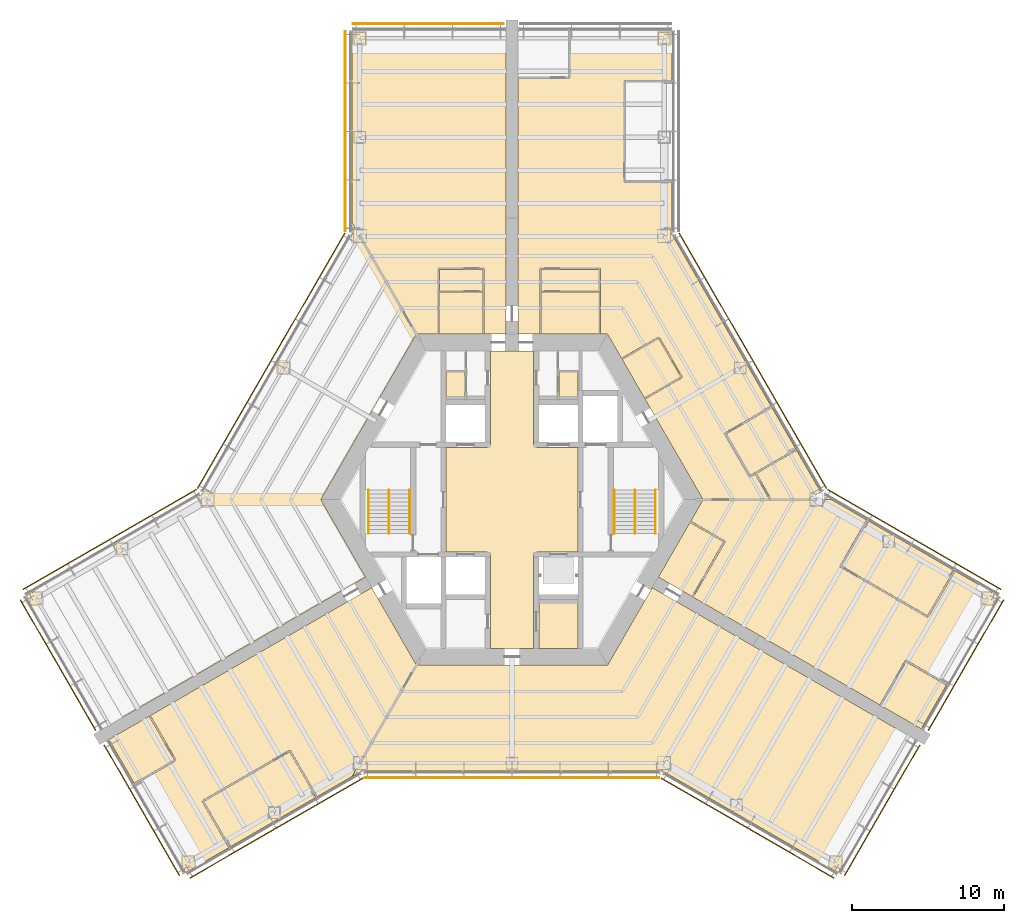
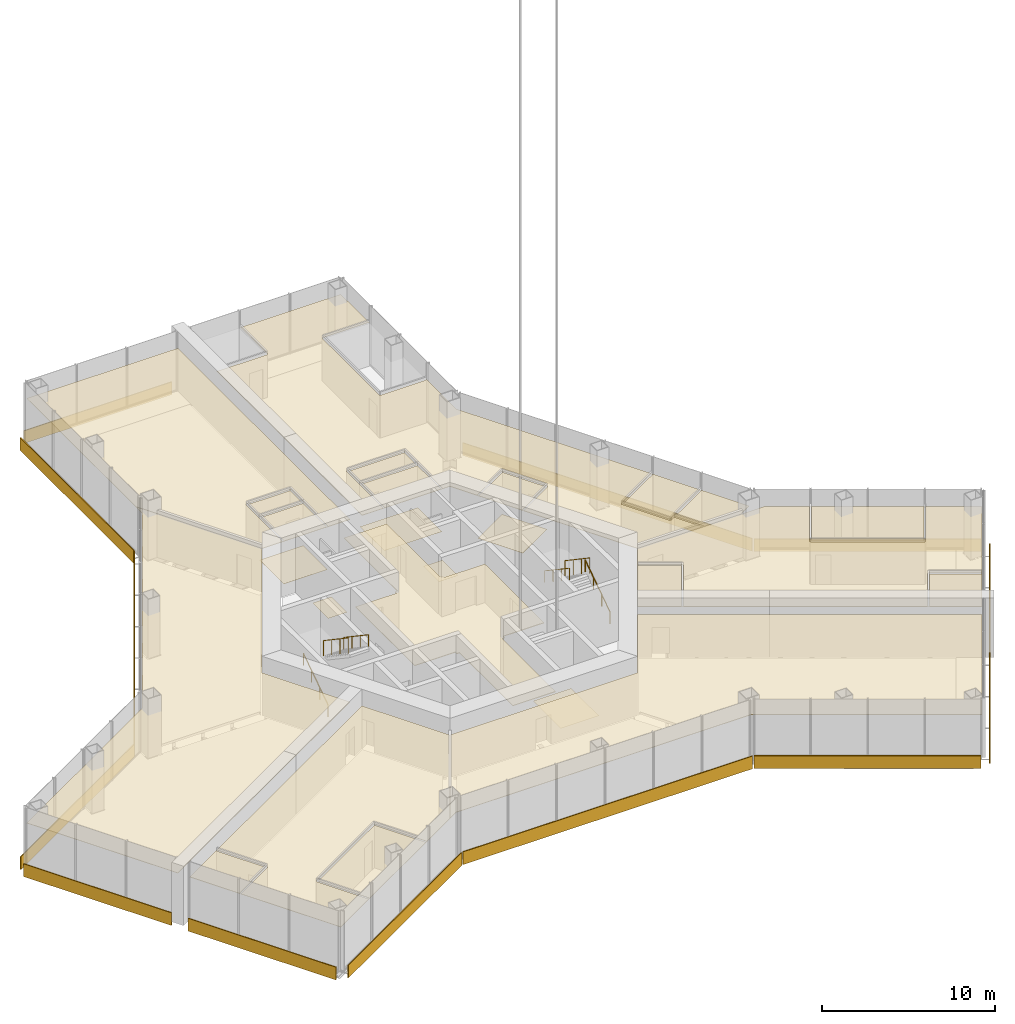
# One storey, part 16 of 18: 25 coverings, 13 shading devices, 6 railings.
"""IFC4 building model written with IfcOpenShell, lengths in metres."""

from ifc_helpers import new_model, si_unit, direction, frame, origin, origin_2d, place, context, subcontext, project, spatial, polyline, rectangle, circle, outline, extrude, material, layer, layer_set, type_object, element, save


model = new_model("IFC4")

# Units and contexts
model_context = context("Model", 3, precision=1e-05, world=origin(), true_north=direction((0.0, 1.0)))
body_context = subcontext(model_context, "Body", "Model", "MODEL_VIEW")
ifc_project = project(units=[si_unit("LENGTHUNIT", "METRE"), si_unit("AREAUNIT", "SQUARE_METRE"), si_unit("VOLUMEUNIT", "CUBIC_METRE"), si_unit("PLANEANGLEUNIT", "RADIAN"), si_unit("MASSUNIT", "GRAM", prefix="KILO")], contexts=[model_context])

# Site, building, storey
site_placement = place(None, origin())
site = spatial("IfcSite", under=ifc_project, at=site_placement, CompositionType="ELEMENT")
building_placement = place(site_placement, origin())
building = spatial("IfcBuilding", under=site, at=building_placement, Name="Kasaneha Research Tower", CompositionType="ELEMENT")
storey_placement = place(building_placement, frame((0.0, 0.0, 57.0)))
storey = spatial("IfcBuildingStorey", under=building, at=storey_placement, Name="L14", CompositionType="ELEMENT", Elevation=57.0)

# Coverings
ifc_material_1 = material(Name="Perforated aluminium acoustic ceiling", Category="aluminium")
ifc_layer_1 = layer(ifc_material_1, 0.030029296875)
ifc_layer_set_1 = layer_set([ifc_layer_1], Name="Acoustic ceiling 30")
covering_type_1 = type_object("IfcCoveringType", Name="Acoustic ceiling 30", PredefinedType="CEILING", material=ifc_layer_set_1)
covering_1_placement = place(storey_placement, frame((0.0, 0.0, 3.0)))
element("IfcCovering", 1, at=covering_1_placement, inside=storey, type_object=covering_type_1, Name="Ceiling L14-27", PredefinedType="CEILING", context=body_context, shape_type="SweptSolid", body=[
    extrude(outline(polyline([(1.89990234375, 10.875), (1.89990234375, 10.89501953125), (1.949951171875, 10.89501953125), (1.95458984375, 13.6201171875), (5.702392578125, 13.6201171875), (5.70703125, 10.89501953125), (5.757080078125, 10.89501953125), (5.757080078125, 10.875), (1.89990234375, 10.875)])), origin(), (0.0, 0.0, 1.0), 0.030029296875),
])
covering_2_placement = place(storey_placement, frame((0.0, 0.0, 3.0)))
element("IfcCovering", 2, at=covering_2_placement, inside=storey, type_object=covering_type_1, Name="Ceiling L14-28", PredefinedType="CEILING", context=body_context, shape_type="SweptSolid", body=[
    extrude(outline(polyline([(1.954345703125, 13.719970703125), (1.9501953125, 15.125), (5.706787109375, 15.125), (5.70263671875, 13.719970703125), (1.954345703125, 13.719970703125)])), origin(), (0.0, 0.0, 1.0), 0.030029296875),
])
covering_3_placement = place(storey_placement, frame((0.0, 0.0, 3.0)))
element("IfcCovering", 3, at=covering_3_placement, inside=storey, type_object=covering_type_1, Name="Ceiling L14-29", PredefinedType="CEILING", context=body_context, shape_type="SweptSolid", body=[
    extrude(outline(polyline([(7.218017578125, 9.248046875), (7.2353515625, 9.258056640625), (7.26025390625, 9.214599609375), (9.62451171875, 10.57958984375), (11.07470703125, 8.068115234375), (8.710205078125, 6.703125), (8.7353515625, 6.659912109375), (8.718017578125, 6.64990234375), (7.218017578125, 9.248046875)])), origin(), (0.0, 0.0, 1.0), 0.030029296875),
])
covering_4_placement = place(storey_placement, frame((0.0, 0.0, 3.0)))
element("IfcCovering", 4, at=covering_4_placement, inside=storey, type_object=covering_type_1, Name="Ceiling L14-30", PredefinedType="CEILING", context=body_context, shape_type="SweptSolid", body=[
    extrude(outline(polyline([(18.679443359375, 3.287353515625), (18.662109375, 3.27734375), (18.63720703125, 3.320556640625), (15.96533203125, 1.778076171875), (15.96533203125, 1.778076171875), (15.66650390625, 1.605712890625), (14.093505859375, 4.33056640625), (17.05517578125, 6.04052734375), (17.0302734375, 6.083740234375), (17.05615234375, 6.098876953125), (18.679443359375, 3.287353515625)])), origin(), (0.0, 0.0, 1.0), 0.030029296875),
])
covering_5_placement = place(storey_placement, frame((0.0, 0.0, 3.0)))
element("IfcCovering", 5, at=covering_5_placement, inside=storey, type_object=covering_type_1, Name="Ceiling L14-31", PredefinedType="CEILING", context=body_context, shape_type="SweptSolid", body=[
    extrude(outline(polyline([(16.997802734375, 0.0), (16.986328125, 0.02001953125), (17.029541015625, 0.044921875), (16.06689453125, 1.72119140625), (18.68701171875, 3.23388671875), (18.662109375, 3.27734375), (18.679443359375, 3.287353515625), (20.28759765625, 0.501708984375), (19.41845703125, 0.0), (16.997802734375, 0.0)])), origin(), (0.0, 0.0, 1.0), 0.030029296875),
])
covering_6_placement = place(storey_placement, frame((0.0, 0.0, 3.0)))
element("IfcCovering", 6, at=covering_6_placement, inside=storey, type_object=covering_type_1, Name="Ceiling L14-34", PredefinedType="CEILING", context=body_context, shape_type="SweptSolid", body=[
    extrude(outline(polyline([(14.024658203125, 4.3486328125), (13.981689453125, 4.32373046875), (15.60498046875, 1.51220703125), (15.64794921875, 1.537109375), (15.64794921875, 1.537109375), (15.6484375, 1.537353515625), (15.67333984375, 1.493896484375), (15.980224609375, 1.671142578125), (16.93994140625, 0.0), (12.557373046875, 0.0), (8.71826171875, 6.6494140625), (8.735595703125, 6.659423828125), (8.76025390625, 6.61669921875), (11.16796875, 8.006591796875), (11.142822265625, 8.0498046875), (11.143310546875, 8.050048828125), (11.143310546875, 8.050048828125), (11.186279296875, 8.074951171875), (9.686279296875, 10.673095703125), (9.643310546875, 10.648193359375), (9.64306640625, 10.6484375), (9.642822265625, 10.648193359375), (9.617919921875, 10.69140625), (7.210205078125, 9.30126953125), (7.235107421875, 9.25830078125), (7.2177734375, 9.24853515625), (6.278564453125, 10.875), (5.757568359375, 10.875), (5.757568359375, 10.89501953125), (5.806884765625, 10.89501953125), (5.802490234375, 13.675048828125), (5.806884765625, 15.1748046875), (5.75732421875, 15.175048828125), (5.75732421875, 15.17529296875), (5.757080078125, 15.17529296875), (5.757080078125, 15.22509765625), (1.89990234375, 15.22509765625), (1.89990234375, 15.17529296875), (1.899658203125, 15.17529296875), (1.899658203125, 15.175048828125), (1.85009765625, 15.1748046875), (1.8544921875, 13.675048828125), (1.85009765625, 10.89501953125), (1.8994140625, 10.89501953125), (1.8994140625, 10.875), (0.39990234375, 10.875), (0.39990234375, 11.72509765625), (0.39990234375, 12.72509765625), (0.39990234375, 27.719970703125), (0.419921875, 27.719970703125), (0.419921875, 27.67041015625), (3.7666015625, 27.67041015625), (3.7666015625, 27.72021484375), (3.76708984375, 27.72021484375), (3.76708984375, 27.720458984375), (3.816650390625, 27.720458984375), (3.816650390625, 30.800537109375), (3.76708984375, 30.800537109375), (3.76708984375, 30.820556640625), (10.5, 30.820556640625), (10.5, 27.51123046875), (10.469970703125, 27.51123046875), (10.469970703125, 27.560791015625), (7.39990234375, 27.560791015625), (7.39990234375, 27.5107421875), (7.3994140625, 27.5107421875), (7.3994140625, 27.5107421875), (7.35009765625, 27.5107421875), (7.35009765625, 20.89111328125), (7.3994140625, 20.89111328125), (7.3994140625, 20.890869140625), (7.39990234375, 20.890869140625), (7.39990234375, 20.841064453125), (10.469970703125, 20.841064453125), (10.469970703125, 20.890625), (10.5, 20.890625), (10.5, 17.45458984375), (17.055908203125, 6.09912109375), (17.030029296875, 6.084228515625), (17.005126953125, 6.127197265625), (14.0, 4.39208984375), (14.02490234375, 4.348876953125), (14.024658203125, 4.348876953125), (14.024658203125, 4.3486328125)])), origin(), (0.0, 0.0, 1.0), 0.030029296875),
])
covering_7_placement = place(storey_placement, frame((0.0, 0.0, 3.0)))
element("IfcCovering", 7, at=covering_7_placement, inside=storey, type_object=covering_type_1, Name="Ceiling L14-35", PredefinedType="CEILING", context=body_context, shape_type="SweptSolid", body=[
    extrude(outline(polyline([(-4.8291015625, 10.875), (-4.8291015625, 10.89501953125), (-4.779052734375, 10.89501953125), (-4.7744140625, 13.6201171875), (-1.95458984375, 13.6201171875), (-1.949951171875, 10.89501953125), (-1.89990234375, 10.89501953125), (-1.89990234375, 10.875), (-4.8291015625, 10.875)])), origin(), (0.0, 0.0, 1.0), 0.030029296875),
])
covering_8_placement = place(storey_placement, frame((0.0, 0.0, 3.0)))
element("IfcCovering", 8, at=covering_8_placement, inside=storey, type_object=covering_type_1, Name="Ceiling L14-36", PredefinedType="CEILING", context=body_context, shape_type="SweptSolid", body=[
    extrude(outline(polyline([(-1.9501953125, 15.125), (-1.954345703125, 13.719970703125), (-4.7744140625, 13.719970703125), (-4.77880859375, 15.125), (-1.9501953125, 15.125)])), origin(), (0.0, 0.0, 1.0), 0.030029296875),
])
covering_9_placement = place(storey_placement, frame((0.0, 0.0, 3.0)))
element("IfcCovering", 9, at=covering_9_placement, inside=storey, type_object=covering_type_1, Name="Ceiling L14-37", PredefinedType="CEILING", context=body_context, shape_type="SweptSolid", body=[
    extrude(outline(polyline([(-1.8994140625, 10.875), (-1.8994140625, 10.89501953125), (-1.85009765625, 10.89501953125), (-1.8544921875, 13.675048828125), (-1.85009765625, 15.1748046875), (-1.899658203125, 15.175048828125), (-1.899658203125, 15.17529296875), (-1.89990234375, 15.17529296875), (-1.89990234375, 15.22509765625), (-4.8291015625, 15.22509765625), (-4.8291015625, 15.175537109375), (-4.8291015625, 15.175537109375), (-4.8291015625, 15.175048828125), (-4.87890625, 15.1748046875), (-4.874267578125, 13.675048828125), (-4.87890625, 10.89501953125), (-4.82958984375, 10.89501953125), (-4.82958984375, 10.875), (-6.278564453125, 10.875), (-10.5, 18.1865234375), (-10.5, 30.820556640625), (-0.39990234375, 30.820556640625), (-0.39990234375, 12.72509765625), (-0.39990234375, 11.72509765625), (-0.39990234375, 10.875), (-1.8994140625, 10.875)])), origin(), (0.0, 0.0, 1.0), 0.030029296875),
])
covering_10_placement = place(storey_placement, frame((0.0, 0.0, 3.0)))
element("IfcCovering", 10, at=covering_10_placement, inside=storey, type_object=covering_type_1, Name="Ceiling L14-38", PredefinedType="CEILING", context=body_context, shape_type="SweptSolid", body=[
    extrude(outline(polyline([(-6.278564453125, 10.875), (-12.557373046875, 0.0), (-9.617919921875, -5.091064453125), (-10.354248046875, -5.51611328125), (-10.354248046875, -5.51611328125), (-26.891357421875, -15.063720703125), (-31.94140625, -6.31689453125), (-20.365966796875, 0.365966796875), (-10.5, 17.45458984375), (-10.5, 18.1865234375), (-6.278564453125, 10.875), (-6.278564453125, 10.875)])), origin(), (0.0, 0.0, 1.0), 0.030029296875),
])
covering_11_placement = place(storey_placement, frame((0.0, 0.0, 3.0)))
element("IfcCovering", 11, at=covering_11_placement, inside=storey, type_object=covering_type_1, Name="Ceiling L14-39", PredefinedType="CEILING", context=body_context, shape_type="SweptSolid", body=[
    extrude(outline(polyline([(-18.574951171875, -22.8486328125), (-18.5849609375, -22.831298828125), (-18.541748046875, -22.806396484375), (-20.256591796875, -19.835693359375), (-14.610595703125, -16.575927734375), (-12.900390625, -19.537841796875), (-12.857177734375, -19.5126953125), (-12.84228515625, -19.538818359375), (-18.574951171875, -22.8486328125)])), origin(), (0.0, 0.0, 1.0), 0.030029296875),
])
covering_12_placement = place(storey_placement, frame((0.0, 0.0, 3.0)))
element("IfcCovering", 12, at=covering_12_placement, inside=storey, type_object=covering_type_1, Name="Ceiling L14-40", PredefinedType="CEILING", context=body_context, shape_type="SweptSolid", body=[
    extrude(outline(polyline([(-23.806640625, -14.20654296875), (-23.796630859375, -14.223876953125), (-23.840087890625, -14.2490234375), (-22.191650390625, -17.10400390625), (-24.806884765625, -18.614013671875), (-24.781982421875, -18.6572265625), (-24.80810546875, -18.67236328125), (-26.491455078125, -15.756591796875), (-23.806640625, -14.20654296875)])), origin(), (0.0, 0.0, 1.0), 0.030029296875),
])
covering_13_placement = place(storey_placement, frame((0.0, 0.0, 3.0)))
element("IfcCovering", 13, at=covering_13_placement, inside=storey, type_object=covering_type_1, Name="Ceiling L14-41", PredefinedType="CEILING", context=body_context, shape_type="SweptSolid", body=[
    extrude(outline(polyline([(-10.5, -18.1865234375), (-12.841796875, -19.53857421875), (-12.856689453125, -19.512451171875), (-12.81396484375, -19.48779296875), (-14.548828125, -16.482666015625), (-14.59228515625, -16.5078125), (-14.6171875, -16.46435546875), (-20.35009765625, -19.774169921875), (-20.3251953125, -19.817138671875), (-20.325439453125, -19.817138671875), (-20.3251953125, -19.817626953125), (-20.368408203125, -19.842529296875), (-18.62841796875, -22.856201171875), (-18.58544921875, -22.83154296875), (-18.575439453125, -22.848876953125), (-21.44140625, -24.50341796875), (-24.807861328125, -18.672607421875), (-24.78173828125, -18.65771484375), (-24.757080078125, -18.70068359375), (-22.098388671875, -17.16552734375), (-22.123046875, -17.12255859375), (-22.122802734375, -17.122314453125), (-22.123046875, -17.1220703125), (-22.080078125, -17.097412109375), (-23.75341796875, -14.198974609375), (-23.796142578125, -14.2236328125), (-23.80615234375, -14.206298828125), (-9.218017578125, -5.783935546875), (-6.278564453125, -10.875), (-10.5, -18.1865234375)])), origin(), (0.0, 0.0, 1.0), 0.030029296875),
])
covering_14_placement = place(storey_placement, frame((0.0, 0.0, 3.0)))
element("IfcCovering", 14, at=covering_14_placement, inside=storey, type_object=covering_type_1, Name="Ceiling L14-42", PredefinedType="CEILING", context=body_context, shape_type="SweptSolid", body=[
    extrude(outline(polyline([(29.074951171875, -4.662109375), (29.06005859375, -4.68798828125), (29.0166015625, -4.6630859375), (27.306640625, -7.625), (21.660400390625, -4.364990234375), (23.37548828125, -1.39453125), (23.332275390625, -1.36962890625), (23.34228515625, -1.352294921875), (29.074951171875, -4.662109375)])), origin(), (0.0, 0.0, 1.0), 0.030029296875),
])
covering_15_placement = place(storey_placement, frame((0.0, 0.0, 3.0)))
element("IfcCovering", 15, at=covering_15_placement, inside=storey, type_object=covering_type_1, Name="Ceiling L14-43", PredefinedType="CEILING", context=body_context, shape_type="SweptSolid", body=[
    extrude(outline(polyline([(11.7353515625, -1.4638671875), (11.710205078125, -1.507080078125), (13.9013671875, -2.772216796875), (11.837158203125, -6.34912109375), (11.880615234375, -6.374267578125), (11.870361328125, -6.3916015625), (9.61767578125, -5.0908203125), (11.718017578125, -1.453857421875), (11.7353515625, -1.4638671875)])), origin(), (0.0, 0.0, 1.0), 0.030029296875),
])
covering_16_placement = place(storey_placement, frame((0.0, 0.0, 3.0)))
element("IfcCovering", 16, at=covering_16_placement, inside=storey, type_object=covering_type_1, Name="Ceiling L14-44", PredefinedType="CEILING", context=body_context, shape_type="SweptSolid", body=[
    extrude(outline(polyline([(24.20654296875, -13.513916015625), (24.216796875, -13.49658203125), (24.260009765625, -13.521484375), (25.908203125, -10.66650390625), (28.523681640625, -12.176513671875), (28.548583984375, -12.13330078125), (28.57470703125, -12.148193359375), (26.891357421875, -15.063720703125), (24.20654296875, -13.513916015625)])), origin(), (0.0, 0.0, 1.0), 0.030029296875),
])
covering_17_placement = place(storey_placement, frame((0.0, 0.0, 3.0)))
element("IfcCovering", 17, at=covering_17_placement, inside=storey, type_object=covering_type_1, Name="Ceiling L14-45", PredefinedType="CEILING", context=body_context, shape_type="SweptSolid", body=[
    extrude(outline(polyline([(12.557373046875, 0.0), (16.93994140625, 0.0), (16.94287109375, -0.0048828125), (16.951416015625, 0.0), (21.0, 0.0), (23.341796875, -1.35205078125), (23.331787109375, -1.369384765625), (23.288818359375, -1.344482421875), (21.548828125, -4.3583984375), (21.592041015625, -4.38330078125), (21.591796875, -4.3837890625), (21.592041015625, -4.3837890625), (21.567138671875, -4.4267578125), (27.300048828125, -7.736572265625), (27.324951171875, -7.693115234375), (27.368408203125, -7.71826171875), (29.103271484375, -4.713134765625), (29.060302734375, -4.688232421875), (29.075439453125, -4.662353515625), (31.94140625, -6.31689453125), (28.574951171875, -12.147705078125), (28.548828125, -12.1328125), (28.57373046875, -12.08984375), (25.9150390625, -10.554931640625), (25.89013671875, -10.597900390625), (25.889892578125, -10.59765625), (25.8896484375, -10.59814453125), (25.8466796875, -10.5732421875), (24.17333984375, -13.471435546875), (24.21630859375, -13.496337890625), (24.206298828125, -13.513671875), (11.87060546875, -6.3916015625), (11.880615234375, -6.374267578125), (11.923828125, -6.399169921875), (14.012939453125, -2.77880859375), (13.97021484375, -2.754150390625), (13.97021484375, -2.754150390625), (13.9697265625, -2.75390625), (13.99462890625, -2.71044921875), (11.76025390625, -1.42041015625), (11.735595703125, -1.46337890625), (11.71826171875, -1.453369140625), (12.557373046875, 0.0)])), origin(), (0.0, 0.0, 1.0), 0.030029296875),
])
covering_18_placement = place(storey_placement, frame((0.0, 0.0, 3.0)))
element("IfcCovering", 18, at=covering_18_placement, inside=storey, type_object=covering_type_1, Name="Ceiling L14-46", PredefinedType="CEILING", context=body_context, shape_type="SweptSolid", body=[
    extrude(outline(polyline([(-10.5, -18.1865234375), (-6.278564453125, -10.875), (6.278564453125, -10.875), (9.218017578125, -5.783935546875), (9.366455078125, -5.86962890625), (9.9541015625, -6.208984375), (9.9541015625, -6.208984375), (10.820068359375, -6.708984375), (23.055908203125, -13.773193359375), (26.491455078125, -15.756591796875), (21.44140625, -24.50341796875), (9.865966796875, -17.820556640625), (-9.865966796875, -17.820556640625), (-10.5, -18.1865234375)])), origin(), (0.0, 0.0, 1.0), 0.030029296875),
])
ifc_material_2 = material(Name="Aluminium panel ceiling", Category="aluminium")
ifc_layer_2 = layer(ifc_material_2, 0.0400390625)
ifc_layer_set_2 = layer_set([ifc_layer_2], Name="Lift lobby ceiling 40")
covering_type_2 = type_object("IfcCoveringType", Name="Lift lobby ceiling 40", PredefinedType="CEILING", material=ifc_layer_set_2)
covering_19_placement = place(storey_placement, frame((0.0, 0.0, 2.699951171875)))
element("IfcCovering", 19, at=covering_19_placement, inside=storey, type_object=covering_type_2, Name="Ceiling L14-01", PredefinedType="CEILING", context=body_context, shape_type="SweptSolid", body=[
    extrude(outline(polyline([(1.425048828125, 9.77490234375), (1.425048828125, 3.60009765625), (1.60009765625, 3.60009765625), (1.60009765625, 3.425048828125), (4.324951171875, 3.425048828125), (4.324951171875, -3.425048828125), (1.60009765625, -3.425048828125), (1.60009765625, -3.60009765625), (1.425048828125, -3.60009765625), (1.425048828125, -9.77490234375), (-1.425048828125, -9.77490234375), (-1.425048828125, -3.60009765625), (-1.60009765625, -3.60009765625), (-1.60009765625, -3.425048828125), (-4.324951171875, -3.425048828125), (-4.324951171875, 3.425048828125), (-1.60009765625, 3.425048828125), (-1.60009765625, 3.60009765625), (-1.425048828125, 3.60009765625), (-1.425048828125, 9.77490234375), (1.425048828125, 9.77490234375)])), origin(), (0.0, 0.0, 1.0), 0.0400390625),
])

# Railings
ifc_material_3 = material(Name="Steel", Category="steel")
railing_type_1 = type_object("IfcRailingType", Name="Stair balustrade 1100", PredefinedType="GUARDRAIL", material=ifc_material_3)
for number, where, name in (
    (20, (8.074951171875, 0.635009765625, 2.27490234375), "Stair 1 balustrade L14"),
    (21, (-8.074951171875, 0.635009765625, 2.27490234375), "Stair 2 balustrade L14"),
):
    element("IfcRailing", number, at=place(storey_placement, frame(where)), inside=storey, type_object=railing_type_1, Name=name, PredefinedType="GUARDRAIL", context=body_context, shape_type="SweptSolid", body=[
        extrude(circle(Radius=0.02392578125, at=origin_2d()), frame((0.0, 0.0, 1.076171875), z_axis=(0.0, -0.829590901723, 0.558371682465), x_axis=(1.0, 0.0, 0.0)), (0.0, 0.0, 1.0), 3.447509765625),
        extrude(circle(Radius=0.02099609375, at=origin_2d()), origin(), (0.0, 0.0, 1.0), 1.052001953125),
        extrude(circle(Radius=0.02099609375, at=origin_2d()), frame((0.0, -0.953369140625, 0.6416015625)), (0.0, 0.0, 1.0), 1.052001953125),
        extrude(circle(Radius=0.02099609375, at=origin_2d()), frame((0.0, -1.90673828125, 1.283447265625)), (0.0, 0.0, 1.0), 1.052001953125),
        extrude(circle(Radius=0.02099609375, at=origin_2d()), frame((0.0, -2.860107421875, 1.925048828125)), (0.0, 0.0, 1.0), 1.052001953125),
    ])
ifc_material_4 = material(Name="Steel", Category="steel")
railing_type_2 = type_object("IfcRailingType", Name="Stair handrail 850", PredefinedType="HANDRAIL", material=ifc_material_4)
railing_1_placement = place(storey_placement, frame((9.425048828125, -2.22509765625, 0.175048828125)))
element("IfcRailing", 22, at=railing_1_placement, inside=storey, type_object=railing_type_2, Name="Stair 1 handrail L14", PredefinedType="HANDRAIL", context=body_context, shape_type="SweptSolid", body=[
    extrude(circle(Radius=0.02392578125, at=origin_2d()), frame((0.0, 0.0, 0.826171875), z_axis=(0.0, 0.829590901723, 0.558371682465), x_axis=(-1.0, 0.0, 0.0)), (0.0, 0.0, 1.0), 3.447509765625),
    extrude(circle(Radius=0.02099609375, at=origin_2d()), origin(), (0.0, 0.0, 1.0), 0.802001953125),
    extrude(circle(Radius=0.02099609375, at=origin_2d()), frame((0.0, 0.953369140625, 0.6416015625)), (0.0, 0.0, 1.0), 0.802001953125),
    extrude(circle(Radius=0.02099609375, at=origin_2d()), frame((0.0, 1.90673828125, 1.283447265625)), (0.0, 0.0, 1.0), 0.802001953125),
    extrude(circle(Radius=0.02099609375, at=origin_2d()), frame((0.0, 2.860107421875, 1.925048828125)), (0.0, 0.0, 1.0), 0.802001953125),
])
railing_2_placement = place(storey_placement, frame((6.72509765625, 0.635009765625, 2.27490234375)))
element("IfcRailing", 23, at=railing_2_placement, inside=storey, type_object=railing_type_2, Name="Stair 1 handrail L14", PredefinedType="HANDRAIL", context=body_context, shape_type="SweptSolid", body=[
    extrude(circle(Radius=0.02392578125, at=origin_2d()), frame((0.0, 0.0, 0.826171875), z_axis=(0.0, -0.829590901723, 0.558371682465), x_axis=(1.0, 0.0, 0.0)), (0.0, 0.0, 1.0), 3.447509765625),
    extrude(circle(Radius=0.02099609375, at=origin_2d()), origin(), (0.0, 0.0, 1.0), 0.802001953125),
    extrude(circle(Radius=0.02099609375, at=origin_2d()), frame((0.0, -0.953369140625, 0.6416015625)), (0.0, 0.0, 1.0), 0.802001953125),
    extrude(circle(Radius=0.02099609375, at=origin_2d()), frame((0.0, -1.90673828125, 1.283447265625)), (0.0, 0.0, 1.0), 0.802001953125),
    extrude(circle(Radius=0.02099609375, at=origin_2d()), frame((0.0, -2.860107421875, 1.925048828125)), (0.0, 0.0, 1.0), 0.802001953125),
])
railing_3_placement = place(storey_placement, frame((-9.425048828125, -2.22509765625, 0.175048828125)))
element("IfcRailing", 24, at=railing_3_placement, inside=storey, type_object=railing_type_2, Name="Stair 2 handrail L14", PredefinedType="HANDRAIL", context=body_context, shape_type="SweptSolid", body=[
    extrude(circle(Radius=0.02392578125, at=origin_2d()), frame((0.0, 0.0, 0.826171875), z_axis=(0.0, 0.829590901723, 0.558371682465), x_axis=(-1.0, 0.0, 0.0)), (0.0, 0.0, 1.0), 3.447509765625),
    extrude(circle(Radius=0.02099609375, at=origin_2d()), origin(), (0.0, 0.0, 1.0), 0.802001953125),
    extrude(circle(Radius=0.02099609375, at=origin_2d()), frame((0.0, 0.953369140625, 0.6416015625)), (0.0, 0.0, 1.0), 0.802001953125),
    extrude(circle(Radius=0.02099609375, at=origin_2d()), frame((0.0, 1.90673828125, 1.283447265625)), (0.0, 0.0, 1.0), 0.802001953125),
    extrude(circle(Radius=0.02099609375, at=origin_2d()), frame((0.0, 2.860107421875, 1.925048828125)), (0.0, 0.0, 1.0), 0.802001953125),
])
railing_4_placement = place(storey_placement, frame((-6.72509765625, 0.635009765625, 2.27490234375)))
element("IfcRailing", 25, at=railing_4_placement, inside=storey, type_object=railing_type_2, Name="Stair 2 handrail L14", PredefinedType="HANDRAIL", context=body_context, shape_type="SweptSolid", body=[
    extrude(circle(Radius=0.02392578125, at=origin_2d()), frame((0.0, 0.0, 0.826171875), z_axis=(0.0, -0.829590901723, 0.558371682465), x_axis=(1.0, 0.0, 0.0)), (0.0, 0.0, 1.0), 3.447509765625),
    extrude(circle(Radius=0.02099609375, at=origin_2d()), origin(), (0.0, 0.0, 1.0), 0.802001953125),
    extrude(circle(Radius=0.02099609375, at=origin_2d()), frame((0.0, -0.953369140625, 0.6416015625)), (0.0, 0.0, 1.0), 0.802001953125),
    extrude(circle(Radius=0.02099609375, at=origin_2d()), frame((0.0, -1.90673828125, 1.283447265625)), (0.0, 0.0, 1.0), 0.802001953125),
    extrude(circle(Radius=0.02099609375, at=origin_2d()), frame((0.0, -2.860107421875, 1.925048828125)), (0.0, 0.0, 1.0), 0.802001953125),
])

# Shading devices
ifc_material_5 = material(Name="Terracotta", Category="masonry")
ifc_layer_3 = layer(ifc_material_5, 0.06005859375)
ifc_layer_set_3 = layer_set([ifc_layer_3], Name="Terracotta baguette screen")
shading_device_type = type_object("IfcShadingDeviceType", Name="Terracotta baguette screen", PredefinedType="USERDEFINED", material=ifc_layer_set_3)
shading_device_1_placement = place(storey_placement, frame((-15.483642578125, -21.58349609375, -0.449951171875), z_axis=(0.0, 0.0, 1.0), x_axis=(0.866025411464, 0.499999986699, 0.0)))
element("IfcShadingDevice", 26, at=shading_device_1_placement, inside=storey, type_object=shading_device_type, Name="Baguette screen L14 01", ObjectType="TERRACOTTA BAGUETTE SCREEN", PredefinedType="USERDEFINED", context=body_context, shape_type="SweptSolid", body=[
    extrude(rectangle(XDim=13.13916015625, YDim=0.06005859375, at=origin_2d()), origin(), (0.0, 0.0, 1.0), 0.89990234375),
])
shading_device_2_placement = place(storey_placement, frame((0.0, -18.2705078125, -0.449951171875), z_axis=(0.0, 0.0, 1.0), x_axis=(1.0, 0.0, 0.0)))
element("IfcShadingDevice", 27, at=shading_device_2_placement, inside=storey, type_object=shading_device_type, Name="Baguette screen L14 02", ObjectType="TERRACOTTA BAGUETTE SCREEN", PredefinedType="USERDEFINED", context=body_context, shape_type="SweptSolid", body=[
    extrude(rectangle(XDim=19.37841796875, YDim=0.06005859375, at=origin_2d()), origin(), (0.0, 0.0, 1.0), 0.89990234375),
])
shading_device_3_placement = place(storey_placement, frame((15.483642578125, -21.58349609375, -0.449951171875), z_axis=(0.0, 0.0, 1.0), x_axis=(0.866025411464, -0.499999986699, 0.0)))
element("IfcShadingDevice", 28, at=shading_device_3_placement, inside=storey, type_object=shading_device_type, Name="Baguette screen L14 03", ObjectType="TERRACOTTA BAGUETTE SCREEN", PredefinedType="USERDEFINED", context=body_context, shape_type="SweptSolid", body=[
    extrude(rectangle(XDim=13.13916015625, YDim=0.06005859375, at=origin_2d()), origin(), (0.0, 0.0, 1.0), 0.89990234375),
])
for number, where, z_axis, x_axis, name in (
    (29, (24.3310546875, -20.3984375, -0.449951171875), (0.0, 0.0, 1.0), (0.500000011442, 0.866025397178, 0.0), "Baguette screen L14 04"),
    (30, (29.8310546875, -10.8720703125, -0.449951171875), (0.0, 0.0, 1.0), (0.500000011442, 0.866025397178, 0.0), "Baguette screen L14 05"),
):
    element("IfcShadingDevice", number, at=place(storey_placement, frame(where, z_axis=z_axis, x_axis=x_axis)), inside=storey, type_object=shading_device_type, Name=name, ObjectType="TERRACOTTA BAGUETTE SCREEN", PredefinedType="USERDEFINED", context=body_context, shape_type="SweptSolid", body=[
        extrude(rectangle(XDim=9.89990234375, YDim=0.06005859375, at=origin_2d()), origin(), (0.0, 0.0, 1.0), 0.89990234375),
    ])
shading_device_4_placement = place(storey_placement, frame((26.43359375, -2.617431640625, -0.449951171875), z_axis=(0.0, 0.0, 1.0), x_axis=(-0.866025411464, 0.499999986699, 0.0)))
element("IfcShadingDevice", 31, at=shading_device_4_placement, inside=storey, type_object=shading_device_type, Name="Baguette screen L14 06", ObjectType="TERRACOTTA BAGUETTE SCREEN", PredefinedType="USERDEFINED", context=body_context, shape_type="SweptSolid", body=[
    extrude(rectangle(XDim=13.13916015625, YDim=0.06005859375, at=origin_2d()), origin(), (0.0, 0.0, 1.0), 0.89990234375),
])
shading_device_5_placement = place(storey_placement, frame((15.82275390625, 9.13525390625, -0.449951171875), z_axis=(0.0, 0.0, 1.0), x_axis=(-0.49999996188, 0.866025425793, 0.0)))
element("IfcShadingDevice", 32, at=shading_device_5_placement, inside=storey, type_object=shading_device_type, Name="Baguette screen L14 07", ObjectType="TERRACOTTA BAGUETTE SCREEN", PredefinedType="USERDEFINED", context=body_context, shape_type="SweptSolid", body=[
    extrude(rectangle(XDim=19.37841796875, YDim=0.06005859375, at=origin_2d()), origin(), (0.0, 0.0, 1.0), 0.89990234375),
])
shading_device_6_placement = place(storey_placement, frame((-5.5, 31.2705078125, -0.449951171875), z_axis=(0.0, 0.0, 1.0), x_axis=(-1.0, 0.0, 0.0)))
element("IfcShadingDevice", 33, at=shading_device_6_placement, inside=storey, type_object=shading_device_type, Name="Baguette screen L14 10", ObjectType="TERRACOTTA BAGUETTE SCREEN", PredefinedType="USERDEFINED", context=body_context, shape_type="SweptSolid", body=[
    extrude(rectangle(XDim=9.89990234375, YDim=0.06005859375, at=origin_2d()), origin(), (0.0, 0.0, 1.0), 0.89990234375),
])
shading_device_7_placement = place(storey_placement, frame((-10.949951171875, 24.200927734375, -0.449951171875), z_axis=(0.0, 0.0, 1.0), x_axis=(0.0, -1.0, 0.0)))
element("IfcShadingDevice", 34, at=shading_device_7_placement, inside=storey, type_object=shading_device_type, Name="Baguette screen L14 11", ObjectType="TERRACOTTA BAGUETTE SCREEN", PredefinedType="USERDEFINED", context=body_context, shape_type="SweptSolid", body=[
    extrude(rectangle(XDim=13.13916015625, YDim=0.06005859375, at=origin_2d()), origin(), (0.0, 0.0, 1.0), 0.89990234375),
])
shading_device_8_placement = place(storey_placement, frame((-15.82275390625, 9.13525390625, -0.449951171875), z_axis=(0.0, 0.0, 1.0), x_axis=(-0.49999996188, -0.866025425793, 0.0)))
element("IfcShadingDevice", 35, at=shading_device_8_placement, inside=storey, type_object=shading_device_type, Name="Baguette screen L14 12", ObjectType="TERRACOTTA BAGUETTE SCREEN", PredefinedType="USERDEFINED", context=body_context, shape_type="SweptSolid", body=[
    extrude(rectangle(XDim=19.37841796875, YDim=0.06005859375, at=origin_2d()), origin(), (0.0, 0.0, 1.0), 0.89990234375),
])
shading_device_9_placement = place(storey_placement, frame((-26.43359375, -2.617431640625, -0.449951171875), z_axis=(0.0, 0.0, 1.0), x_axis=(-0.866025411464, -0.499999986699, 0.0)))
element("IfcShadingDevice", 36, at=shading_device_9_placement, inside=storey, type_object=shading_device_type, Name="Baguette screen L14 13", ObjectType="TERRACOTTA BAGUETTE SCREEN", PredefinedType="USERDEFINED", context=body_context, shape_type="SweptSolid", body=[
    extrude(rectangle(XDim=13.13916015625, YDim=0.06005859375, at=origin_2d()), origin(), (0.0, 0.0, 1.0), 0.89990234375),
])
for number, where, z_axis, x_axis, name in (
    (37, (-29.8310546875, -10.8720703125, -0.449951171875), (0.0, 0.0, 1.0), (0.500000011442, -0.866025397178, 0.0), "Baguette screen L14 14"),
    (38, (-24.3310546875, -20.3984375, -0.449951171875), (0.0, 0.0, 1.0), (0.500000011442, -0.866025397178, 0.0), "Baguette screen L14 15"),
):
    element("IfcShadingDevice", number, at=place(storey_placement, frame(where, z_axis=z_axis, x_axis=x_axis)), inside=storey, type_object=shading_device_type, Name=name, ObjectType="TERRACOTTA BAGUETTE SCREEN", PredefinedType="USERDEFINED", context=body_context, shape_type="SweptSolid", body=[
        extrude(rectangle(XDim=9.89990234375, YDim=0.06005859375, at=origin_2d()), origin(), (0.0, 0.0, 1.0), 0.89990234375),
    ])

# Coverings
ifc_material_6 = material(Name="Vinyl sheet flooring", Category="plastic")
ifc_layer_4 = layer(ifc_material_6, 0.0048828125)
ifc_layer_set_4 = layer_set([ifc_layer_4], Name="Wet room sheet flooring 5")
covering_type_3 = type_object("IfcCoveringType", Name="Wet room sheet flooring 5", PredefinedType="FLOORING", material=ifc_layer_set_4)
covering_20_placement = place(storey_placement, origin())
element("IfcCovering", 39, at=covering_20_placement, inside=storey, type_object=covering_type_3, Name="Floor finish L14-07", PredefinedType="FLOORING", context=body_context, shape_type="SweptSolid", body=[
    extrude(outline(polyline([(-4.324951171875, 6.574951171875), (-4.324951171875, 8.375), (-3.074951171875, 8.375), (-3.074951171875, 6.574951171875), (-4.324951171875, 6.574951171875)])), origin(), (0.0, 0.0, 1.0), 0.0048828125),
])
covering_21_placement = place(storey_placement, origin())
element("IfcCovering", 40, at=covering_21_placement, inside=storey, type_object=covering_type_3, Name="Floor finish L14-10", PredefinedType="FLOORING", context=body_context, shape_type="SweptSolid", body=[
    extrude(outline(polyline([(3.074951171875, 6.574951171875), (3.074951171875, 8.375), (4.324951171875, 8.375), (4.324951171875, 7.0), (4.324951171875, 6.574951171875), (3.074951171875, 6.574951171875)])), origin(), (0.0, 0.0, 1.0), 0.0048828125),
])
covering_22_placement = place(storey_placement, origin())
element("IfcCovering", 41, at=covering_22_placement, inside=storey, type_object=covering_type_3, Name="Floor finish L14-13", PredefinedType="FLOORING", context=body_context, shape_type="SweptSolid", body=[
    extrude(outline(polyline([(1.77490234375, -9.77490234375), (1.77490234375, -6.574951171875), (4.324951171875, -6.574951171875), (4.324951171875, -9.77490234375), (1.77490234375, -9.77490234375)])), origin(), (0.0, 0.0, 1.0), 0.0048828125),
])
covering_23_placement = place(storey_placement, origin())
element("IfcCovering", 42, at=covering_23_placement, inside=storey, type_object=covering_type_3, Name="Floor finish L14-27", PredefinedType="FLOORING", context=body_context, shape_type="SweptSolid", body=[
    extrude(outline(polyline([(5.757080078125, 13.675048828125), (5.757080078125, 10.875), (1.89990234375, 10.875), (1.89990234375, 13.675048828125), (5.757080078125, 13.675048828125)])), origin(), (0.0, 0.0, 1.0), 0.0048828125),
])
covering_24_placement = place(storey_placement, origin())
element("IfcCovering", 43, at=covering_24_placement, inside=storey, type_object=covering_type_3, Name="Floor finish L14-29", PredefinedType="FLOORING", context=body_context, shape_type="SweptSolid", body=[
    extrude(outline(polyline([(11.142822265625, 8.050048828125), (8.718017578125, 6.64990234375), (7.218017578125, 9.248046875), (9.642822265625, 10.64794921875), (11.142822265625, 8.050048828125)])), origin(), (0.0, 0.0, 1.0), 0.0048828125),
])
covering_25_placement = place(storey_placement, origin())
element("IfcCovering", 44, at=covering_25_placement, inside=storey, type_object=covering_type_3, Name="Floor finish L14-35", PredefinedType="FLOORING", context=body_context, shape_type="SweptSolid", body=[
    extrude(outline(polyline([(-1.89990234375, 13.675048828125), (-1.89990234375, 10.875), (-4.8291015625, 10.875), (-4.8291015625, 13.675048828125), (-1.89990234375, 13.675048828125)])), origin(), (0.0, 0.0, 1.0), 0.0048828125),
])

save(model, "model.ifc")
